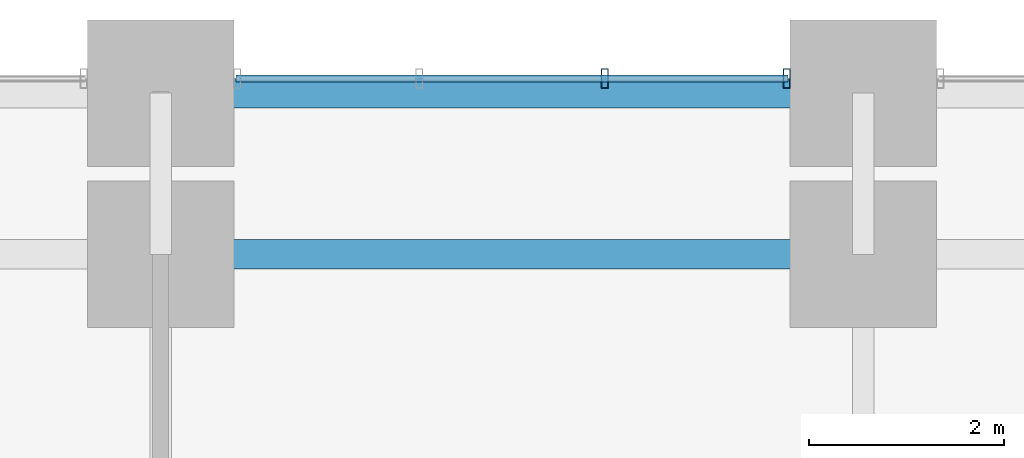
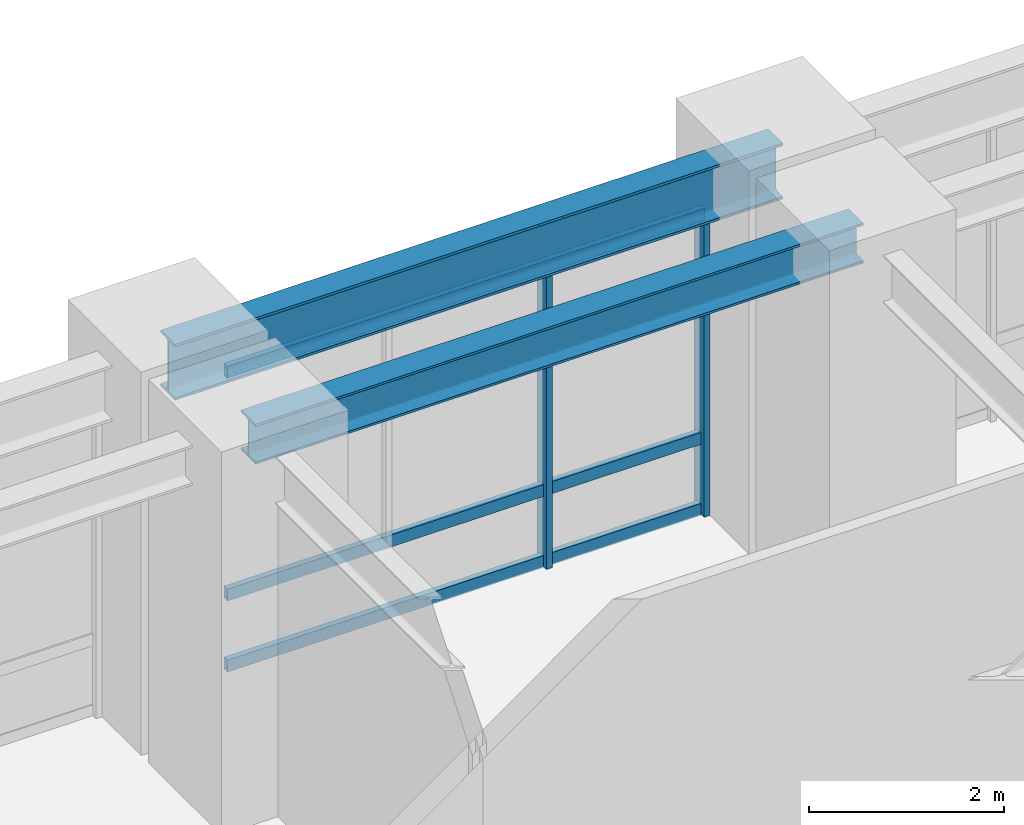
# One storey, part 7 of 22: 5 members, 2 beams, 1 element without a shape of its own.
"""IFC4 building model written with IfcOpenShell, lengths in metres."""

from ifc_helpers import new_model, si_unit, direction, frame, origin, origin_2d, place, context, subcontext, project, spatial, hollow_rectangle, i_section, extrude, source, transform, mapped, material, layer, layer_set, material_profile, profile_set, type_object, element, aggregate, save


model = new_model("IFC4")

# Units and contexts
model_context = context("Model", 3, precision=1e-05, world=origin(), true_north=direction((0.0, 1.0)))
body_context = subcontext(model_context, "Body", "Model", "MODEL_VIEW")
ifc_project = project(units=[si_unit("LENGTHUNIT", "METRE"), si_unit("AREAUNIT", "SQUARE_METRE"), si_unit("VOLUMEUNIT", "CUBIC_METRE"), si_unit("PLANEANGLEUNIT", "RADIAN"), si_unit("MASSUNIT", "GRAM", prefix="KILO")], contexts=[model_context])

# Site, building, storey
site_placement = place(None, origin())
site = spatial("IfcSite", under=ifc_project, at=site_placement, CompositionType="ELEMENT")
building_placement = place(site_placement, origin())
building = spatial("IfcBuilding", under=site, at=building_placement, Name="Kaliganga Portal Commons", CompositionType="ELEMENT")
storey_placement = place(building_placement, frame((0.0, 0.0, 10.199951171875)))
storey = spatial("IfcBuildingStorey", under=building, at=storey_placement, Name="L02", CompositionType="ELEMENT", Elevation=10.199951171875)

# Beams
ifc_material_1 = material(Name="Structural steel S355J2", Category="steel")
ifc_material_profile_1 = material_profile(ifc_material_1, i_section(OverallWidth=0.300048828125, OverallDepth=0.699951171875, WebThickness=0.01708984375, FlangeThickness=0.031982421875, FilletRadius=0.027099609375, at=origin_2d()), Name="HE 700 B")
ifc_profile_set_1 = profile_set([ifc_material_profile_1], Name="Structural steel S355J2 wide-flange")
beam_type_1 = type_object("IfcBeamType", Name="BM-GIRD-700", PredefinedType="USERDEFINED", material=ifc_profile_set_1)
shared_shape_1 = source(origin(), body_context, "Body", "SweptSolid", [
    extrude(i_section(OverallWidth=0.300048828125, OverallDepth=0.699951171875, WebThickness=0.01708984375, FlangeThickness=0.031982421875, FilletRadius=0.027099609375, at=origin_2d()), origin(), (0.0, 0.0, 1.0), 7.199951171875),
])
beam_1_placement = place(storey_placement, frame((28.800048828125, 44.85009765625, 4.170166015625), z_axis=(1.0, 0.0, 0.0), x_axis=(0.0, 1.0, 0.0)))
element("IfcBeam", 1, at=beam_1_placement, inside=storey, type_object=beam_type_1, Name="BM PODP L02 N44 3", ObjectType="GIRDER", PredefinedType="USERDEFINED", context=body_context, shape_type="MappedRepresentation", body=[
    mapped(shared_shape_1, transform((0.0, 0.0, 0.0), x_axis=(1.0, 0.0, 0.0), y_axis=(0.0, 1.0, 0.0), z_axis=(0.0, 0.0, 1.0), scale=1.0)),
])
ifc_material_profile_2 = material_profile(ifc_material_1, i_section(OverallWidth=0.300048828125, OverallDepth=0.5, WebThickness=0.014404296875, FlangeThickness=0.028076171875, FilletRadius=0.027099609375, at=origin_2d()), Name="HE 500 B")
ifc_profile_set_2 = profile_set([ifc_material_profile_2], Name="Structural steel S355J2 wide-flange")
beam_type_2 = type_object("IfcBeamType", Name="BM-SPAND-500", PredefinedType="SPANDREL", material=ifc_profile_set_2)
shared_shape_2 = source(origin(), body_context, "Body", "SweptSolid", [
    extrude(i_section(OverallWidth=0.300048828125, OverallDepth=0.5, WebThickness=0.014404296875, FlangeThickness=0.028076171875, FilletRadius=0.027099609375, at=origin_2d()), origin(), (0.0, 0.0, 1.0), 7.199951171875),
])
beam_2_placement = place(storey_placement, frame((28.800048828125, 43.199951171875, 4.27001953125), z_axis=(1.0, 0.0, 0.0), x_axis=(0.0, 1.0, 0.0)))
element("IfcBeam", 2, at=beam_2_placement, inside=storey, type_object=beam_type_2, Name="BM SP L02 AN 3", PredefinedType="SPANDREL", context=body_context, shape_type="MappedRepresentation", body=[
    mapped(shared_shape_2, transform((0.0, 0.0, 0.0), x_axis=(1.0, 0.0, 0.0), y_axis=(0.0, 1.0, 0.0), z_axis=(0.0, 0.0, 1.0), scale=1.0)),
])

# Curtain wall, members
ifc_material_2 = material(Name="Anodized Aluminium and Laminated Low-E Glass", Category="aluminium")
ifc_layer = layer(ifc_material_2, 0.219970703125)
ifc_layer_set = layer_set([ifc_layer], Name="Anodized Aluminium and Laminated Low-E Glass")
curtain_wall_type = type_object("IfcCurtainWallType", Name="CW-SYS-01", PredefinedType="NOTDEFINED", material=ifc_layer_set)
curtain_wall_placement = place(storey_placement, origin())
curtain_wall = element("IfcCurtainWall", 3, at=curtain_wall_placement, inside=storey, type_object=curtain_wall_type, Name="CW 01 L02 P1E02S5", PredefinedType="NOTDEFINED")
ifc_material_3 = material(Name="Dark Bronze Anodized Aluminium", Category="aluminium")
ifc_material_profile_3 = material_profile(ifc_material_3, hollow_rectangle(XDim=0.070068359375, YDim=0.14990234375, WallThickness=0.00341796875, at=origin_2d()), Name="ALU TRAN 70x150x3.5")
ifc_profile_set_3 = profile_set([ifc_material_profile_3], Name="Dark Bronze Anodized Aluminium")
member_type_1 = type_object("IfcMemberType", Name="CW-TRN-150", PredefinedType="USERDEFINED", material=ifc_profile_set_3)
shared_shape_3 = source(origin(), body_context, "Body", "SweptSolid", [
    extrude(hollow_rectangle(XDim=0.070068359375, YDim=0.14990234375, WallThickness=0.00341796875, at=origin_2d()), origin(), (0.0, 0.0, 1.0), 5.657958984375),
])
member_1_placement = place(storey_placement, frame((35.22900390625, 45.0, 0.06005859375), z_axis=(-1.0, 0.0, 0.0), x_axis=(0.0, -1.0, 0.0)))
member_1 = element("IfcMember", 4, at=member_1_placement, type_object=member_type_1, Name="CW:01:L02:P1E02S5 Transom 1", ObjectType="TRANSOM", PredefinedType="USERDEFINED", context=body_context, shape_type="MappedRepresentation", body=[
    mapped(shared_shape_3, transform((0.0, 0.0, 0.0), x_axis=(1.0, 0.0, 0.0), y_axis=(0.0, 1.0, 0.0), z_axis=(0.0, 0.0, 1.0), scale=1.0)),
])
member_2_placement = place(storey_placement, frame((35.22900390625, 45.0, 0.949951171875), z_axis=(-1.0, 0.0, 0.0), x_axis=(0.0, -1.0, 0.0)))
member_2 = element("IfcMember", 5, at=member_2_placement, type_object=member_type_1, Name="CW:01:L02:P1E02S5 Transom 2", ObjectType="TRANSOM", PredefinedType="USERDEFINED", context=body_context, shape_type="MappedRepresentation", body=[
    mapped(shared_shape_3, transform((0.0, 0.0, 0.0), x_axis=(1.0, 0.0, 0.0), y_axis=(0.0, 1.0, 0.0), z_axis=(0.0, 0.0, 1.0), scale=1.0)),
])
member_3_placement = place(storey_placement, frame((35.22900390625, 45.0, 3.739990234375), z_axis=(-1.0, 0.0, 0.0), x_axis=(0.0, -1.0, 0.0)))
member_3 = element("IfcMember", 6, at=member_3_placement, type_object=member_type_1, Name="CW:01:L02:P1E02S5 Transom 3", ObjectType="TRANSOM", PredefinedType="USERDEFINED", context=body_context, shape_type="MappedRepresentation", body=[
    mapped(shared_shape_3, transform((0.0, 0.0, 0.0), x_axis=(1.0, 0.0, 0.0), y_axis=(0.0, 1.0, 0.0), z_axis=(0.0, 0.0, 1.0), scale=1.0)),
])
ifc_material_profile_4 = material_profile(ifc_material_3, hollow_rectangle(XDim=0.070068359375, YDim=0.199951171875, WallThickness=0.00390625, at=origin_2d()), Name="ALU MULL 70x200x4")
ifc_profile_set_4 = profile_set([ifc_material_profile_4], Name="Dark Bronze Anodized Aluminium")
member_type_2 = type_object("IfcMemberType", Name="CW-MUL-220", PredefinedType="MULLION", material=ifc_profile_set_4)
shared_shape_4 = source(origin(), body_context, "Body", "SweptSolid", [
    extrude(hollow_rectangle(XDim=0.070068359375, YDim=0.199951171875, WallThickness=0.00390625, at=origin_2d()), origin(), (0.0, 0.0, 1.0), 3.820068359375),
])
member_4_placement = place(storey_placement, frame((35.214111328125, 45.0, 0.0), z_axis=(0.0, 0.0, 1.0), x_axis=(-1.0, 0.0, 0.0)))
member_4 = element("IfcMember", 7, at=member_4_placement, type_object=member_type_2, Name="CW:01:L02:P1E02S5 Mullion 00", PredefinedType="MULLION", context=body_context, shape_type="MappedRepresentation", body=[
    mapped(shared_shape_4, transform((0.0, 0.0, 0.0), x_axis=(1.0, 0.0, 0.0), y_axis=(0.0, 1.0, 0.0), z_axis=(0.0, 0.0, 1.0), scale=1.0)),
])
member_5_placement = place(storey_placement, frame((33.349609375, 45.0, 0.0), z_axis=(0.0, 0.0, 1.0), x_axis=(-1.0, 0.0, 0.0)))
member_5 = element("IfcMember", 8, at=member_5_placement, type_object=member_type_2, Name="CW:01:L02:P1E02S5 Mullion 01", PredefinedType="MULLION", context=body_context, shape_type="MappedRepresentation", body=[
    mapped(shared_shape_4, transform((0.0, 0.0, 0.0), x_axis=(1.0, 0.0, 0.0), y_axis=(0.0, 1.0, 0.0), z_axis=(0.0, 0.0, 1.0), scale=1.0)),
])
aggregate(curtain_wall, [member_4, member_5, member_1, member_2, member_3])

save(model, "model.ifc")
